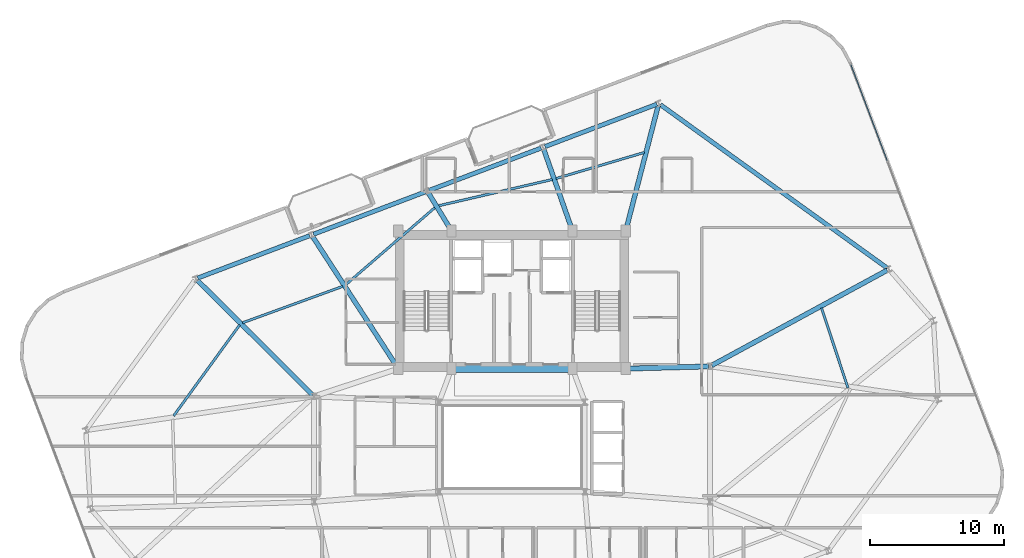
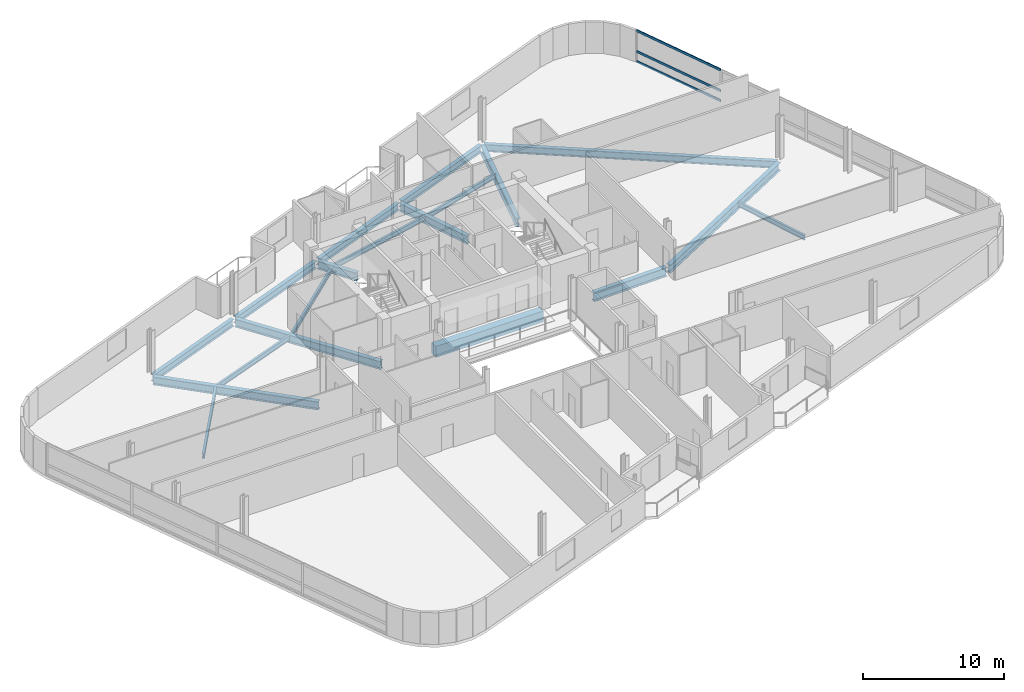
# One storey, part 9 of 20: 19 beams, 3 members, 1 element without a shape of its own.
"""IFC4 building model written with IfcOpenShell, lengths in metres."""

from ifc_helpers import new_model, si_unit, direction, frame, origin, origin_2d, place, context, subcontext, project, spatial, rectangle, hollow_rectangle, i_section, extrude, material, layer, layer_set, material_profile, profile_set, type_object, element, aggregate, save


model = new_model("IFC4")

# Units and contexts
model_context = context("Model", 3, precision=1e-05, world=origin(), true_north=direction((0.0, 1.0)))
body_context = subcontext(model_context, "Body", "Model", "MODEL_VIEW")
ifc_project = project(units=[si_unit("LENGTHUNIT", "METRE"), si_unit("AREAUNIT", "SQUARE_METRE"), si_unit("VOLUMEUNIT", "CUBIC_METRE"), si_unit("PLANEANGLEUNIT", "RADIAN"), si_unit("MASSUNIT", "GRAM", prefix="KILO")], contexts=[model_context])

# Site, building, storey
site_placement = place(None, origin())
site = spatial("IfcSite", under=ifc_project, at=site_placement, CompositionType="ELEMENT")
building_placement = place(site_placement, origin())
building = spatial("IfcBuilding", under=site, at=building_placement, Name="Varnelok Gate Tower", CompositionType="ELEMENT")
storey_placement = place(building_placement, frame((0.0, 0.0, 238.60009765625)))
storey = spatial("IfcBuildingStorey", under=building, at=storey_placement, Name="L61", CompositionType="ELEMENT", Elevation=238.60009765625)

# Beams
ifc_material_1 = material(Name="Structural Steel ASTM A992 Grade 50", Category="steel")
ifc_material_profile_1 = material_profile(ifc_material_1, i_section(OverallWidth=0.180908203125, OverallDepth=0.4169921875, WebThickness=0.010986328125, FlangeThickness=0.018310546875, FilletRadius=0.013916015625, at=origin_2d()), Name="W16X57")
ifc_profile_set_1 = profile_set([ifc_material_profile_1], Name="Structural Steel ASTM A992 Grade 50")
beam_type_1 = type_object("IfcBeamType", Name="BM-JST-W16X57", PredefinedType="JOIST", material=ifc_profile_set_1)
beam_1_placement = place(storey_placement, frame((64.3134765625, 27.315185546875, -0.45849609375), z_axis=(-0.314411260858, 0.949286868678, 0.0), x_axis=(-0.949286868678, -0.314411260858, 0.0)))
element("IfcBeam", 1, at=beam_1_placement, inside=storey, type_object=beam_type_1, Name="L61 Sector Floor Joist 6", PredefinedType="JOIST", context=body_context, shape_type="SweptSolid", body=[
    extrude(i_section(OverallWidth=0.180908203125, OverallDepth=0.4169921875, WebThickness=0.010986328125, FlangeThickness=0.018310546875, FilletRadius=0.013916015625, at=origin_2d()), origin(), (0.0, 0.0, 1.0), 6.2919921875),
])
beam_2_placement = place(storey_placement, frame((49.097900390625, 44.913818359375, -0.45849609375), z_axis=(-0.959057966549, -0.283209845871, 0.0), x_axis=(0.283209845871, -0.959057966549, 0.0)))
element("IfcBeam", 2, at=beam_2_placement, inside=storey, type_object=beam_type_1, Name="L61 Sector Floor Joist 7", PredefinedType="JOIST", context=body_context, shape_type="SweptSolid", body=[
    extrude(i_section(OverallWidth=0.180908203125, OverallDepth=0.4169921875, WebThickness=0.010986328125, FlangeThickness=0.018310546875, FilletRadius=0.013916015625, at=origin_2d()), origin(), (0.0, 0.0, 1.0), 6.889404296875),
])
beam_3_placement = place(storey_placement, frame((42.2197265625, 42.8916015625, -0.45849609375), z_axis=(-0.974390725435, -0.224861544479, 0.0), x_axis=(0.224861544479, -0.974390725435, 0.0)))
element("IfcBeam", 3, at=beam_3_placement, inside=storey, type_object=beam_type_1, Name="L61 Sector Floor Joist 8", PredefinedType="JOIST", context=body_context, shape_type="SweptSolid", body=[
    extrude(i_section(OverallWidth=0.180908203125, OverallDepth=0.4169921875, WebThickness=0.010986328125, FlangeThickness=0.018310546875, FilletRadius=0.013916015625, at=origin_2d()), origin(), (0.0, 0.0, 1.0), 8.75),
])
beam_4_placement = place(storey_placement, frame((33.451416015625, 40.801025390625, -0.45849609375), z_axis=(-0.756477675991, -0.65401951479, 0.0), x_axis=(0.65401951479, -0.756477675991, 0.0)))
element("IfcBeam", 4, at=beam_4_placement, inside=storey, type_object=beam_type_1, Name="L61 Sector Floor Joist 9", PredefinedType="JOIST", context=body_context, shape_type="SweptSolid", body=[
    extrude(i_section(OverallWidth=0.180908203125, OverallDepth=0.4169921875, WebThickness=0.010986328125, FlangeThickness=0.018310546875, FilletRadius=0.013916015625, at=origin_2d()), origin(), (0.0, 0.0, 1.0), 8.809326171875),
])
beam_5_placement = place(storey_placement, frame((26.5498046875, 34.900146484375, -0.45849609375), z_axis=(-0.939942639177, -0.341332440673, 0.0), x_axis=(0.341332440673, -0.939942639177, 0.0)))
element("IfcBeam", 5, at=beam_5_placement, inside=storey, type_object=beam_type_1, Name="L61 Sector Floor Joist 10", PredefinedType="JOIST", context=body_context, shape_type="SweptSolid", body=[
    extrude(i_section(OverallWidth=0.180908203125, OverallDepth=0.4169921875, WebThickness=0.010986328125, FlangeThickness=0.018310546875, FilletRadius=0.013916015625, at=origin_2d()), origin(), (0.0, 0.0, 1.0), 7.972900390625),
])
beam_6_placement = place(storey_placement, frame((18.841796875, 32.017578125, -0.45849609375), z_axis=(-0.587535336543, -0.809198509831, 0.0), x_axis=(0.809198509831, -0.587535336543, 0.0)))
element("IfcBeam", 6, at=beam_6_placement, inside=storey, type_object=beam_type_1, Name="L61 Sector Floor Joist 11", PredefinedType="JOIST", context=body_context, shape_type="SweptSolid", body=[
    extrude(i_section(OverallWidth=0.180908203125, OverallDepth=0.4169921875, WebThickness=0.010986328125, FlangeThickness=0.018310546875, FilletRadius=0.013916015625, at=origin_2d()), origin(), (0.0, 0.0, 1.0), 8.397216796875),
])
ifc_material_2 = material(Name="Concrete C60/75", Category="concrete")
ifc_material_profile_2 = material_profile(ifc_material_2, rectangle(XDim=0.60009765625, YDim=0.949951171875, at=origin_2d()), Name="RC950X600")
ifc_profile_set_2 = profile_set([ifc_material_profile_2], Name="Concrete C60/75")
beam_type_2 = type_object("IfcBeamType", Name="BM-LNT-RC950", PredefinedType="LINTEL", material=ifc_profile_set_2)
beam_7_placement = place(storey_placement, frame((34.800048828125, 28.75, -0.72509765625), z_axis=(1.0, 0.0, 0.0), x_axis=(0.0, 1.0, 0.0)))
element("IfcBeam", 7, at=beam_7_placement, inside=storey, type_object=beam_type_2, Name="L61 Core-Atrium Spine Beam 7", PredefinedType="LINTEL", context=body_context, shape_type="SweptSolid", body=[
    extrude(rectangle(XDim=0.60009765625, YDim=0.949951171875, at=origin_2d()), origin(), (0.0, 0.0, 1.0), 8.800048828125),
])
ifc_material_profile_3 = material_profile(ifc_material_1, i_section(OverallWidth=0.35498046875, OverallDepth=0.696044921875, WebThickness=0.015380859375, FlangeThickness=0.02490234375, FilletRadius=0.02001953125, at=origin_2d()), Name="W27X146")
ifc_profile_set_3 = profile_set([ifc_material_profile_3], Name="Structural Steel ASTM A992 Grade 50")
beam_type_3 = type_object("IfcBeamType", Name="BM-PRI-W27X146", PredefinedType="BEAM", material=ifc_profile_set_3)
beam_8_placement = place(storey_placement, frame((54.1318359375, 28.99169921875, -0.59814453125), z_axis=(0.878855196349, 0.477088612157, 0.0), x_axis=(-0.477088612157, 0.878855196349, 0.0)))
element("IfcBeam", 8, at=beam_8_placement, inside=storey, type_object=beam_type_3, Name="L61 Radial Floor Girder 8", PredefinedType="BEAM", context=body_context, shape_type="SweptSolid", body=[
    extrude(i_section(OverallWidth=0.35498046875, OverallDepth=0.696044921875, WebThickness=0.015380859375, FlangeThickness=0.02490234375, FilletRadius=0.02001953125, at=origin_2d()), origin(), (0.0, 0.0, 1.0), 14.91650390625),
])
beam_9_placement = place(storey_placement, frame((47.73779296875, 39.1953125, -0.59814453125), z_axis=(0.251175366301, 0.967941597083, 0.0), x_axis=(-0.967941597083, 0.251175366301, 0.0)))
element("IfcBeam", 9, at=beam_9_placement, inside=storey, type_object=beam_type_3, Name="L61 Radial Floor Girder 9", PredefinedType="BEAM", context=body_context, shape_type="SweptSolid", body=[
    extrude(i_section(OverallWidth=0.35498046875, OverallDepth=0.696044921875, WebThickness=0.015380859375, FlangeThickness=0.02490234375, FilletRadius=0.02001953125, at=origin_2d()), origin(), (0.0, 0.0, 1.0), 9.537109375),
])
beam_10_placement = place(storey_placement, frame((43.670166015625, 39.19140625, -0.59814453125), z_axis=(-0.332145441042, 0.943228183419, 0.0), x_axis=(-0.943228183419, -0.332145441042, 0.0)))
element("IfcBeam", 10, at=beam_10_placement, inside=storey, type_object=beam_type_3, Name="L61 Radial Floor Girder 10", PredefinedType="BEAM", context=body_context, shape_type="SweptSolid", body=[
    extrude(i_section(OverallWidth=0.35498046875, OverallDepth=0.696044921875, WebThickness=0.015380859375, FlangeThickness=0.02490234375, FilletRadius=0.02001953125, at=origin_2d()), origin(), (0.0, 0.0, 1.0), 6.32275390625),
])
beam_11_placement = place(storey_placement, frame((34.60205078125, 39.177978515625, -0.59814453125), z_axis=(-0.520275699177, 0.853998358808, 0.0), x_axis=(-0.853998358808, -0.520275699177, 0.0)))
element("IfcBeam", 11, at=beam_11_placement, inside=storey, type_object=beam_type_3, Name="L61 Radial Floor Girder 11", PredefinedType="BEAM", context=body_context, shape_type="SweptSolid", body=[
    extrude(i_section(OverallWidth=0.35498046875, OverallDepth=0.696044921875, WebThickness=0.015380859375, FlangeThickness=0.02490234375, FilletRadius=0.02001953125, at=origin_2d()), origin(), (0.0, 0.0, 1.0), 3.18017578125),
])
beam_12_placement = place(storey_placement, frame((30.618408203125, 28.8759765625, -0.59814453125), z_axis=(-0.544016338938, 0.839074623004, 0.0), x_axis=(-0.839074623004, -0.544016338938, 0.0)))
element("IfcBeam", 12, at=beam_12_placement, inside=storey, type_object=beam_type_3, Name="L61 Radial Floor Girder 12", PredefinedType="BEAM", context=body_context, shape_type="SweptSolid", body=[
    extrude(i_section(OverallWidth=0.35498046875, OverallDepth=0.696044921875, WebThickness=0.015380859375, FlangeThickness=0.02490234375, FilletRadius=0.02001953125, at=origin_2d()), origin(), (0.0, 0.0, 1.0), 11.61376953125),
])
beam_13_placement = place(storey_placement, frame((24.293701171875, 26.785888671875, -0.59814453125), z_axis=(-0.708740938647, 0.705468838352, 0.0), x_axis=(-0.705468838352, -0.708740938647, 0.0)))
element("IfcBeam", 13, at=beam_13_placement, inside=storey, type_object=beam_type_3, Name="L61 Radial Floor Girder 13", PredefinedType="BEAM", context=body_context, shape_type="SweptSolid", body=[
    extrude(i_section(OverallWidth=0.35498046875, OverallDepth=0.696044921875, WebThickness=0.015380859375, FlangeThickness=0.02490234375, FilletRadius=0.02001953125, at=origin_2d()), origin(), (0.0, 0.0, 1.0), 12.161865234375),
])
ifc_material_profile_4 = material_profile(ifc_material_1, i_section(OverallWidth=0.381103515625, OverallDepth=0.77294921875, WebThickness=0.0166015625, FlangeThickness=0.027099609375, FilletRadius=0.02197265625, at=origin_2d()), Name="W30X173")
ifc_profile_set_4 = profile_set([ifc_material_profile_4], Name="Structural Steel ASTM A992 Grade 50")
beam_type_4 = type_object("IfcBeamType", Name="BM-PRI-W30X173", PredefinedType="BEAM", material=ifc_profile_set_4)
beam_14_placement = place(storey_placement, frame((47.820068359375, 28.753173828125, -0.63671875), z_axis=(0.999635880609, 0.026983443053, 0.0), x_axis=(-0.026983443053, 0.999635880609, 0.0)))
element("IfcBeam", 14, at=beam_14_placement, inside=storey, type_object=beam_type_4, Name="L61 Core-Atrium Spine Beam 19", PredefinedType="BEAM", context=body_context, shape_type="SweptSolid", body=[
    extrude(i_section(OverallWidth=0.381103515625, OverallDepth=0.77294921875, WebThickness=0.0166015625, FlangeThickness=0.027099609375, FilletRadius=0.02197265625, at=origin_2d()), origin(), (0.0, 0.0, 1.0), 6.06201171875),
])
ifc_material_profile_5 = material_profile(ifc_material_1, i_section(OverallWidth=0.323974609375, OverallDepth=0.611083984375, WebThickness=0.0126953125, FlangeThickness=0.01904296875, FilletRadius=0.01806640625, at=origin_2d()), Name="W24X104")
ifc_profile_set_5 = profile_set([ifc_material_profile_5], Name="Structural Steel ASTM A992 Grade 50")
beam_type_5 = type_object("IfcBeamType", Name="BM-SPN-W24X104", PredefinedType="SPANDREL", material=ifc_profile_set_5)
beam_15_placement = place(storey_placement, frame((67.251220703125, 36.267333984375, -0.5556640625), z_axis=(-0.811382769408, 0.58451518501, 0.0), x_axis=(-0.58451518501, -0.811382769408, 0.0)))
element("IfcBeam", 15, at=beam_15_placement, inside=storey, type_object=beam_type_5, Name="L61 Perimeter Spandrel Beam 8", PredefinedType="SPANDREL", context=body_context, shape_type="SweptSolid", body=[
    extrude(i_section(OverallWidth=0.323974609375, OverallDepth=0.611083984375, WebThickness=0.0126953125, FlangeThickness=0.01904296875, FilletRadius=0.01806640625, at=origin_2d()), origin(), (0.0, 0.0, 1.0), 20.900634765625),
])
beam_16_placement = place(storey_placement, frame((50.03076171875, 48.518798828125, -0.5556640625), z_axis=(-0.935220356141, -0.354066216208, 0.0), x_axis=(0.354066216208, -0.935220356141, 0.0)))
element("IfcBeam", 16, at=beam_16_placement, inside=storey, type_object=beam_type_5, Name="L61 Perimeter Spandrel Beam 9", PredefinedType="SPANDREL", context=body_context, shape_type="SweptSolid", body=[
    extrude(i_section(OverallWidth=0.323974609375, OverallDepth=0.611083984375, WebThickness=0.0126953125, FlangeThickness=0.01904296875, FilletRadius=0.01806640625, at=origin_2d()), origin(), (0.0, 0.0, 1.0), 8.9501953125),
])
for number, where, z_axis, x_axis, name in (
    (17, (41.3798828125, 45.24365234375, -0.5556640625), (-0.935225969099, -0.354051389947, 0.0), (0.354051389947, -0.935225969099, 0.0), "L61 Perimeter Spandrel Beam 10"),
    (18, (32.72900390625, 41.96875, -0.5556640625), (-0.935216936382, -0.354075248928, 0.0), (0.354075248928, -0.935216936382, 0.0), "L61 Perimeter Spandrel Beam 11"),
):
    element("IfcBeam", number, at=place(storey_placement, frame(where, z_axis=z_axis, x_axis=x_axis)), inside=storey, type_object=beam_type_5, Name=name, PredefinedType="SPANDREL", context=body_context, shape_type="SweptSolid", body=[
        extrude(i_section(OverallWidth=0.323974609375, OverallDepth=0.611083984375, WebThickness=0.0126953125, FlangeThickness=0.01904296875, FilletRadius=0.01806640625, at=origin_2d()), origin(), (0.0, 0.0, 1.0), 8.949951171875),
    ])
beam_17_placement = place(storey_placement, frame((24.078369140625, 38.693603515625, -0.5556640625), z_axis=(-0.935220356141, -0.354066216208, 0.0), x_axis=(0.354066216208, -0.935220356141, 0.0)))
element("IfcBeam", 19, at=beam_17_placement, inside=storey, type_object=beam_type_5, Name="L61 Perimeter Spandrel Beam 12", PredefinedType="SPANDREL", context=body_context, shape_type="SweptSolid", body=[
    extrude(i_section(OverallWidth=0.323974609375, OverallDepth=0.611083984375, WebThickness=0.0126953125, FlangeThickness=0.01904296875, FilletRadius=0.01806640625, at=origin_2d()), origin(), (0.0, 0.0, 1.0), 8.9501953125),
])

# Curtain wall, members
ifc_material_3 = material(Name="Anodized Aluminum Alloy 6063-T6", Category="aluminium")
ifc_layer = layer(ifc_material_3, 0.179931640625)
ifc_layer_set = layer_set([ifc_layer], Name="Anodized Aluminum Alloy 6063-T6")
curtain_wall_type = type_object("IfcCurtainWallType", Name="CW4-RESIDENCE-VISION", PredefinedType="USERDEFINED", material=ifc_layer_set)
curtain_wall_placement = place(storey_placement, origin())
curtain_wall = element("IfcCurtainWall", 20, at=curtain_wall_placement, inside=storey, type_object=curtain_wall_type, Name="L61 East End Vision Curtain Wall", ObjectType="UNITISED CURTAIN WALL", PredefinedType="USERDEFINED")
ifc_material_profile_6 = material_profile(ifc_material_3, hollow_rectangle(XDim=0.074951171875, YDim=0.199951171875, WallThickness=0.00390625, at=origin_2d()), Name="ALU200X75X4")
ifc_profile_set_6 = profile_set([ifc_material_profile_6], Name="Anodized Aluminum Alloy 6063-T6")
member_type = type_object("IfcMemberType", Name="CW-TRAN-200", PredefinedType="USERDEFINED", material=ifc_profile_set_6)
member_1_placement = place(storey_placement, frame((64.528076171875, 51.4892578125, 0.037353515625), z_axis=(0.354073041953, -0.935217771945, 0.0), x_axis=(0.935217771945, 0.354073041953, 0.0)))
member_1 = element("IfcMember", 21, at=member_1_placement, type_object=member_type, Name="CW4 transom 1.1", ObjectType="TRANSOM", PredefinedType="USERDEFINED", context=body_context, shape_type="SweptSolid", body=[
    extrude(hollow_rectangle(XDim=0.074951171875, YDim=0.199951171875, WallThickness=0.00390625, at=origin_2d()), origin(), (0.0, 0.0, 1.0), 7.6875),
])
member_2_placement = place(storey_placement, frame((64.528076171875, 51.4892578125, 0.89990234375), z_axis=(0.354073041953, -0.935217771945, 0.0), x_axis=(0.935217771945, 0.354073041953, 0.0)))
member_2 = element("IfcMember", 22, at=member_2_placement, type_object=member_type, Name="CW4 transom 1.2", ObjectType="TRANSOM", PredefinedType="USERDEFINED", context=body_context, shape_type="SweptSolid", body=[
    extrude(hollow_rectangle(XDim=0.074951171875, YDim=0.199951171875, WallThickness=0.00390625, at=origin_2d()), origin(), (0.0, 0.0, 1.0), 7.6875),
])
member_3_placement = place(storey_placement, frame((64.528076171875, 51.4892578125, 2.6923828125), z_axis=(0.354073041953, -0.935217771945, 0.0), x_axis=(0.935217771945, 0.354073041953, 0.0)))
member_3 = element("IfcMember", 23, at=member_3_placement, type_object=member_type, Name="CW4 transom 1.3", ObjectType="TRANSOM", PredefinedType="USERDEFINED", context=body_context, shape_type="SweptSolid", body=[
    extrude(hollow_rectangle(XDim=0.074951171875, YDim=0.199951171875, WallThickness=0.00390625, at=origin_2d()), origin(), (0.0, 0.0, 1.0), 7.6875),
])
aggregate(curtain_wall, [member_1, member_2, member_3])

save(model, "model.ifc")
